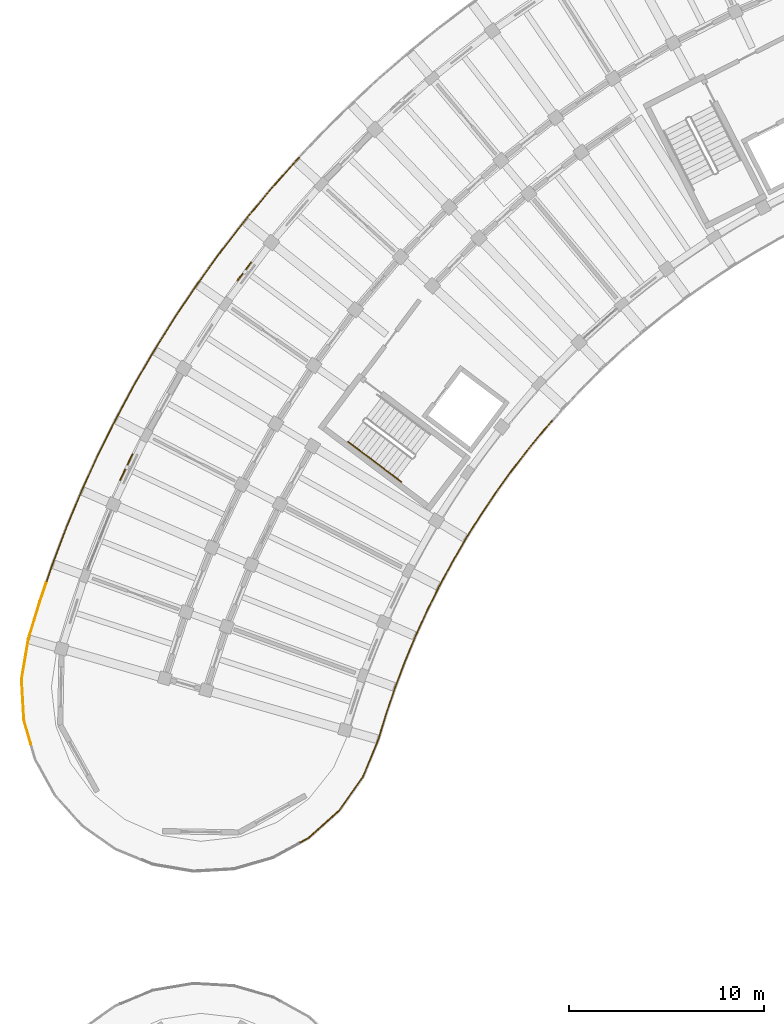
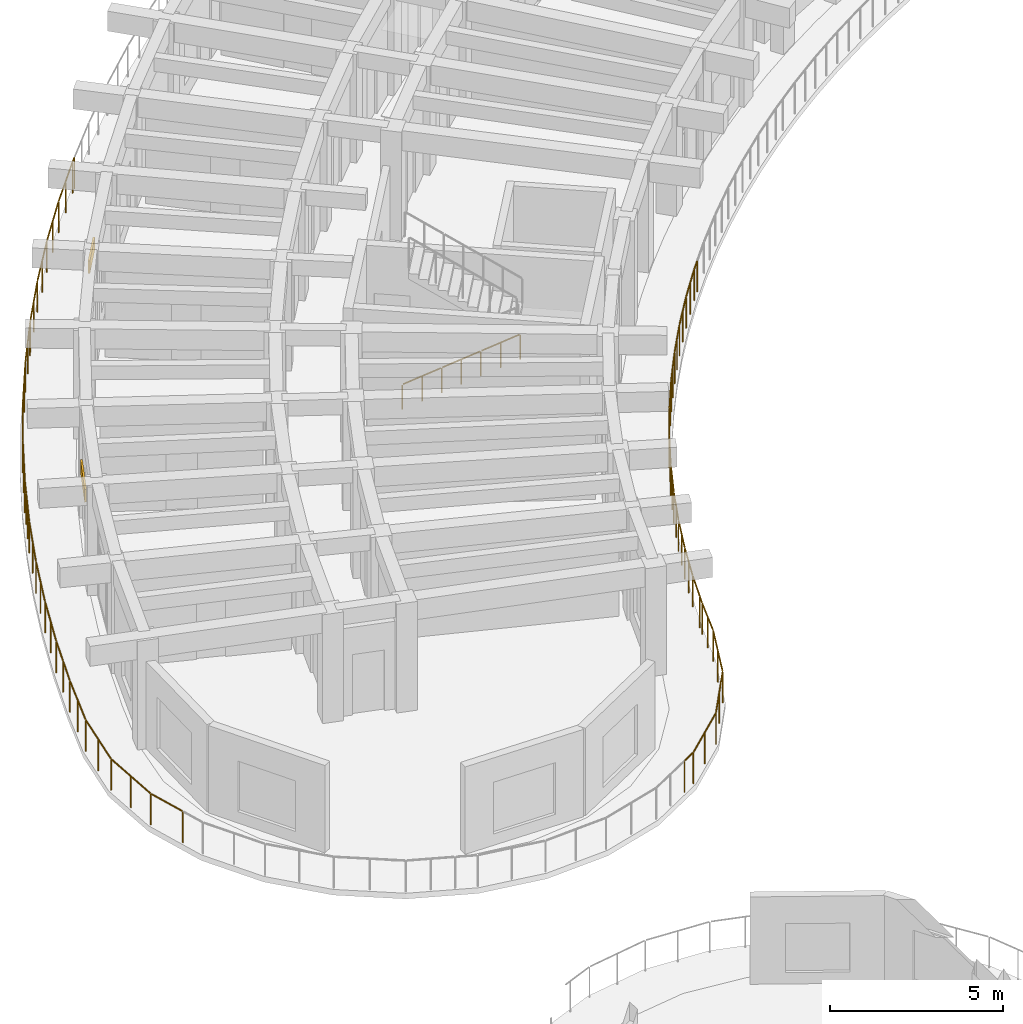
# One storey, part 113 of 128: 10 railings, 2 shading devices.
"""IFC4 building model written with IfcOpenShell, lengths in metres."""

from ifc_helpers import new_model, si_unit, direction, frame, origin, origin_2d, place, context, subcontext, project, spatial, rectangle, circle, extrude, material, layer, layer_set, type_object, element, save


model = new_model("IFC4")

# Units and contexts
model_context = context("Model", 3, precision=1e-05, world=origin(), true_north=direction((0.0, 1.0)))
body_context = subcontext(model_context, "Body", "Model", "MODEL_VIEW")
ifc_project = project(units=[si_unit("LENGTHUNIT", "METRE"), si_unit("AREAUNIT", "SQUARE_METRE"), si_unit("VOLUMEUNIT", "CUBIC_METRE"), si_unit("PLANEANGLEUNIT", "RADIAN"), si_unit("MASSUNIT", "GRAM", prefix="KILO")], contexts=[model_context])

# Site, building, storey
site_placement = place(None, origin())
site = spatial("IfcSite", under=ifc_project, at=site_placement, CompositionType="ELEMENT")
building_placement = place(site_placement, origin())
building = spatial("IfcBuilding", under=site, at=building_placement, Name="Tanwirah Colonnade Gardens", CompositionType="ELEMENT")
storey_placement = place(building_placement, frame((0.0, 0.0, 4.760009765625)))
storey = spatial("IfcBuildingStorey", under=building, at=storey_placement, Name="L01", CompositionType="ELEMENT", Elevation=4.760009765625)

# Railings
ifc_material_1 = material(Name="Precast concrete C40/50", Category="concrete")
railing_type_1 = type_object("IfcRailingType", Name="BAL-EXT112", PredefinedType="BALUSTRADE", material=ifc_material_1)
railing_1_placement = place(storey_placement, frame((32.869384765625, 88.28515625, 0.0)))
element("IfcRailing", 1, at=railing_1_placement, inside=storey, type_object=railing_type_1, Name="Block A L01 Balcony Ribbon Balustrade 5", PredefinedType="BALUSTRADE", context=body_context, shape_type="SweptSolid", body=[
    extrude(circle(Radius=0.02392578125, at=origin_2d()), frame((-0.020751953125, -0.0234375, 1.09619140625), z_axis=(-0.662562077046, -0.749007005348, 0.0), x_axis=(0.749007005348, -0.662562077046, 0.0)), (0.0, 0.0, 1.0), 0.3837890625),
    extrude(circle(Radius=0.02392578125, at=origin_2d()), frame((-0.3173828125, -0.3603515625, 1.09619140625), z_axis=(-0.637581943595, -0.770382544715, 0.0), x_axis=(0.770382544715, -0.637581943595, 0.0)), (0.0, 0.0, 1.0), 1.342041015625),
    extrude(circle(Radius=0.02392578125, at=origin_2d()), frame((-1.213623046875, -1.44482421875, 1.09619140625), z_axis=(-0.611783903817, -0.791024939576, 0.0), x_axis=(0.791024939576, -0.611783903817, 0.0)), (0.0, 0.0, 1.0), 1.341796875),
    extrude(circle(Radius=0.02392578125, at=origin_2d()), frame((-2.073486328125, -2.55859375, 1.09619140625), z_axis=(-0.585522290474, -0.810656306556, 0.0), x_axis=(0.810656306556, -0.585522290474, 0.0)), (0.0, 0.0, 1.0), 1.341796875),
    extrude(circle(Radius=0.02392578125, at=origin_2d()), frame((-2.896484375, -3.69970703125, 1.09619140625), z_axis=(-0.558385571779, -0.829581553091, 0.0), x_axis=(0.829581553091, -0.558385571779, 0.0)), (0.0, 0.0, 1.0), 1.341796875),
    extrude(circle(Radius=0.02392578125, at=origin_2d()), frame((-3.68115234375, -4.86767578125, 1.09619140625), z_axis=(-0.530764445851, -0.847519382091, 0.0), x_axis=(0.847519382091, -0.530764445851, 0.0)), (0.0, 0.0, 1.0), 1.341796875),
    extrude(circle(Radius=0.02392578125, at=origin_2d()), frame((-4.427001953125, -6.060546875, 1.09619140625), z_axis=(-0.502361540351, -0.864657667968, 0.0), x_axis=(0.864657667968, -0.502361540351, 0.0)), (0.0, 0.0, 1.0), 0.95361328125),
    extrude(circle(Radius=0.02099609375, at=origin_2d()), origin(), (0.0, 0.0, 1.0), 1.069091796875),
    extrude(circle(Radius=0.02099609375, at=origin_2d()), frame((-0.295654296875, -0.334228515625, 0.0)), (0.0, 0.0, 1.0), 1.069091796875),
    extrude(circle(Radius=0.02099609375, at=origin_2d()), frame((-0.7451171875, -0.877197265625, 0.0)), (0.0, 0.0, 1.0), 1.069091796875),
    extrude(circle(Radius=0.02099609375, at=origin_2d()), frame((-1.19287109375, -1.418212890625, 0.0)), (0.0, 0.0, 1.0), 1.069091796875),
    extrude(circle(Radius=0.02099609375, at=origin_2d()), frame((-1.6240234375, -1.9755859375, 0.0)), (0.0, 0.0, 1.0), 1.069091796875),
    extrude(circle(Radius=0.02099609375, at=origin_2d()), frame((-2.0537109375, -2.531005859375, 0.0)), (0.0, 0.0, 1.0), 1.069091796875),
    extrude(circle(Radius=0.02099609375, at=origin_2d()), frame((-2.46630859375, -3.1025390625, 0.0)), (0.0, 0.0, 1.0), 1.069091796875),
    extrude(circle(Radius=0.02099609375, at=origin_2d()), frame((-2.87744140625, -3.671630859375, 0.0)), (0.0, 0.0, 1.0), 1.069091796875),
    extrude(circle(Radius=0.02099609375, at=origin_2d()), frame((-3.27099609375, -4.25634765625, 0.0)), (0.0, 0.0, 1.0), 1.069091796875),
    extrude(circle(Radius=0.02099609375, at=origin_2d()), frame((-3.6630859375, -4.8388671875, 0.0)), (0.0, 0.0, 1.0), 1.069091796875),
    extrude(circle(Radius=0.02099609375, at=origin_2d()), frame((-4.037109375, -5.43603515625, 0.0)), (0.0, 0.0, 1.0), 1.069091796875),
    extrude(circle(Radius=0.02099609375, at=origin_2d()), frame((-4.409912109375, -6.03125, 0.0)), (0.0, 0.0, 1.0), 1.069091796875),
    extrude(circle(Radius=0.02099609375, at=origin_2d()), frame((-4.921875, -6.912109375, 0.0)), (0.0, 0.0, 1.0), 1.069091796875),
])
railing_2_placement = place(storey_placement, frame((27.947509765625, 81.373046875, 0.0)))
element("IfcRailing", 2, at=railing_2_placement, inside=storey, type_object=railing_type_1, Name="Block A L01 Balcony Ribbon Balustrade 6", PredefinedType="BALUSTRADE", context=body_context, shape_type="SweptSolid", body=[
    extrude(circle(Radius=0.02392578125, at=origin_2d()), frame((-0.015625, -0.027099609375, 1.09619140625), z_axis=(-0.502423717067, -0.864621540634, 0.0), x_axis=(0.864621540634, -0.502423717067, 0.0)), (0.0, 0.0, 1.0), 0.32568359375),
    extrude(circle(Radius=0.02392578125, at=origin_2d()), frame((-0.211181640625, -0.365478515625, 1.09619140625), z_axis=(-0.473716211853, -0.880677552018, 0.0), x_axis=(0.880677552018, -0.473716211853, 0.0)), (0.0, 0.0, 1.0), 1.341796875),
    extrude(circle(Radius=0.02392578125, at=origin_2d()), frame((-0.876708984375, -1.60498046875, 1.09619140625), z_axis=(-0.444499692011, -0.895779003885, 0.0), x_axis=(0.895779003885, -0.444499692011, 0.0)), (0.0, 0.0, 1.0), 1.341796875),
    extrude(circle(Radius=0.02392578125, at=origin_2d()), frame((-1.501220703125, -2.865966796875, 1.09619140625), z_axis=(-0.414654197084, -0.909979063957, 0.0), x_axis=(0.909979063957, -0.414654197084, 0.0)), (0.0, 0.0, 1.0), 1.341796875),
    extrude(circle(Radius=0.02392578125, at=origin_2d()), frame((-2.08349609375, -4.146484375, 1.09619140625), z_axis=(-0.384541319971, -0.923107779858, 0.0), x_axis=(0.923107779858, -0.384541319971, 0.0)), (0.0, 0.0, 1.0), 1.341796875),
    extrude(circle(Radius=0.02392578125, at=origin_2d()), frame((-2.62353515625, -5.44580078125, 1.09619140625), z_axis=(-0.353789339155, -0.935325132508, 0.0), x_axis=(0.935325132508, -0.353789339155, 0.0)), (0.0, 0.0, 1.0), 1.341796875),
    extrude(circle(Radius=0.02392578125, at=origin_2d()), frame((-3.120361328125, -6.761962890625, 1.09619140625), z_axis=(-0.322900627553, -0.946432873862, 0.0), x_axis=(0.946432873862, -0.322900627553, 0.0)), (0.0, 0.0, 1.0), 1.011962890625),
    extrude(circle(Radius=0.02099609375, at=origin_2d()), origin(), (0.0, 0.0, 1.0), 1.069091796875),
    extrude(circle(Radius=0.02099609375, at=origin_2d()), frame((-0.195068359375, -0.335693359375, 0.0)), (0.0, 0.0, 1.0), 1.069091796875),
    extrude(circle(Radius=0.02099609375, at=origin_2d()), frame((-0.52880859375, -0.956298828125, 0.0)), (0.0, 0.0, 1.0), 1.069091796875),
    extrude(circle(Radius=0.02099609375, at=origin_2d()), frame((-0.861572265625, -1.57470703125, 0.0)), (0.0, 0.0, 1.0), 1.069091796875),
    extrude(circle(Radius=0.02099609375, at=origin_2d()), frame((-1.1748046875, -2.2060546875, 0.0)), (0.0, 0.0, 1.0), 1.069091796875),
    extrude(circle(Radius=0.02099609375, at=origin_2d()), frame((-1.487060546875, -2.8349609375, 0.0)), (0.0, 0.0, 1.0), 1.069091796875),
    extrude(circle(Radius=0.02099609375, at=origin_2d()), frame((-1.779296875, -3.476318359375, 0.0)), (0.0, 0.0, 1.0), 1.069091796875),
    extrude(circle(Radius=0.02099609375, at=origin_2d()), frame((-2.070556640625, -4.115234375, 0.0)), (0.0, 0.0, 1.0), 1.069091796875),
    extrude(circle(Radius=0.02099609375, at=origin_2d()), frame((-2.341552734375, -4.765869140625, 0.0)), (0.0, 0.0, 1.0), 1.069091796875),
    extrude(circle(Radius=0.02099609375, at=origin_2d()), frame((-2.611572265625, -5.4140625, 0.0)), (0.0, 0.0, 1.0), 1.069091796875),
    extrude(circle(Radius=0.02099609375, at=origin_2d()), frame((-2.86083984375, -6.0732421875, 0.0)), (0.0, 0.0, 1.0), 1.069091796875),
    extrude(circle(Radius=0.02099609375, at=origin_2d()), frame((-3.109375, -6.72998046875, 0.0)), (0.0, 0.0, 1.0), 1.069091796875),
    extrude(circle(Radius=0.02099609375, at=origin_2d()), frame((-3.457275390625, -7.749267578125, 0.0)), (0.0, 0.0, 1.0), 1.069091796875),
])
railing_3_placement = place(storey_placement, frame((24.490234375, 73.623779296875, 0.0)))
element("IfcRailing", 3, at=railing_3_placement, inside=storey, type_object=railing_type_1, Name="Block A L01 Balcony Ribbon Balustrade 7", PredefinedType="BALUSTRADE", context=body_context, shape_type="SweptSolid", body=[
    extrude(circle(Radius=0.02392578125, at=origin_2d()), frame((-0.010009765625, -0.029541015625, 1.09619140625), z_axis=(-0.322432998428, -0.946592288963, 0.0), x_axis=(0.946592288963, -0.322432998428, 0.0)), (0.0, 0.0, 1.0), 0.267578125),
    extrude(circle(Radius=0.02392578125, at=origin_2d()), frame((-0.1162109375, -0.3447265625, 1.09619140625), z_axis=(-0.29148764702, -0.956574592823, 0.0), x_axis=(0.956574592823, -0.29148764702, 0.0)), (0.0, 0.0, 1.0), 1.337890625),
    extrude(circle(Radius=0.02392578125, at=origin_2d()), frame((-0.52734375, -1.683349609375, 1.09619140625), z_axis=(-0.381489237895, -0.92437328032, 0.0), x_axis=(0.92437328032, -0.381489237895, 0.0)), (0.0, 0.0, 1.0), 2.029541015625),
    extrude(circle(Radius=0.02392578125, at=origin_2d()), frame((-1.33154296875, -3.614013671875, 1.09619140625), z_axis=(-0.577647272924, -0.816286486525, 0.0), x_axis=(0.816286486525, -0.577647272924, 0.0)), (0.0, 0.0, 1.0), 2.0244140625),
    extrude(circle(Radius=0.02392578125, at=origin_2d()), frame((-2.542236328125, -5.312744140625, 1.09619140625), z_axis=(-0.744822012119, -0.667263194146, 0.0), x_axis=(0.667263194146, -0.744822012119, 0.0)), (0.0, 0.0, 1.0), 2.0244140625),
    extrude(circle(Radius=0.02392578125, at=origin_2d()), frame((-4.100830078125, -6.69970703125, 1.09619140625), z_axis=(-0.874616555828, -0.48481530532, 0.0), x_axis=(0.48481530532, -0.874616555828, 0.0)), (0.0, 0.0, 1.0), 0.4384765625),
    extrude(circle(Radius=0.02099609375, at=origin_2d()), origin(), (0.0, 0.0, 1.0), 1.069091796875),
    extrude(circle(Radius=0.02099609375, at=origin_2d()), frame((-0.1064453125, -0.3125, 0.0)), (0.0, 0.0, 1.0), 1.069091796875),
    extrude(circle(Radius=0.02099609375, at=origin_2d()), frame((-0.311279296875, -0.98486328125, 0.0)), (0.0, 0.0, 1.0), 1.069091796875),
    extrude(circle(Radius=0.02099609375, at=origin_2d()), frame((-0.515380859375, -1.654541015625, 0.0)), (0.0, 0.0, 1.0), 1.069091796875),
    extrude(circle(Radius=0.02099609375, at=origin_2d()), frame((-0.91455078125, -2.62158203125, 0.0)), (0.0, 0.0, 1.0), 1.069091796875),
    extrude(circle(Radius=0.02099609375, at=origin_2d()), frame((-1.3134765625, -3.58837890625, 0.0)), (0.0, 0.0, 1.0), 1.069091796875),
    extrude(circle(Radius=0.02099609375, at=origin_2d()), frame((-1.916259765625, -4.440185546875, 0.0)), (0.0, 0.0, 1.0), 1.069091796875),
    extrude(circle(Radius=0.02099609375, at=origin_2d()), frame((-2.51904296875, -5.2919921875, 0.0)), (0.0, 0.0, 1.0), 1.069091796875),
    extrude(circle(Radius=0.02099609375, at=origin_2d()), frame((-3.29638671875, -5.98828125, 0.0)), (0.0, 0.0, 1.0), 1.069091796875),
    extrude(circle(Radius=0.02099609375, at=origin_2d()), frame((-4.073486328125, -6.6845703125, 0.0)), (0.0, 0.0, 1.0), 1.069091796875),
    extrude(circle(Radius=0.02099609375, at=origin_2d()), frame((-4.51171875, -6.927490234375, 0.0)), (0.0, 0.0, 1.0), 1.069091796875),
])
railing_4_placement = place(storey_placement, frame((6.184814453125, 71.72998046875, 0.0)))
element("IfcRailing", 4, at=railing_4_placement, inside=storey, type_object=railing_type_1, Name="Block A L01 Balcony Ribbon Balustrade 10", PredefinedType="BALUSTRADE", context=body_context, shape_type="SweptSolid", body=[
    extrude(circle(Radius=0.02392578125, at=origin_2d()), frame((-0.0087890625, 0.030029296875, 1.09619140625), z_axis=(-0.278016434724, 0.960576317646, 0.0), x_axis=(-0.960576317646, -0.278016434724, 0.0)), (0.0, 0.0, 1.0), 1.21875),
    extrude(circle(Radius=0.02392578125, at=origin_2d()), frame((-0.35791015625, 1.261962890625, 1.09619140625), z_axis=(-0.057322977065, 0.998355686266, 0.0), x_axis=(-0.998355686266, -0.057322977065, 0.0)), (0.0, 0.0, 1.0), 2.0244140625),
    extrude(circle(Radius=0.02392578125, at=origin_2d()), frame((-0.470703125, 3.344970703125, 1.09619140625), z_axis=(0.166292387508, 0.986076488847, 0.0), x_axis=(-0.986076488847, 0.166292387508, 0.0)), (0.0, 0.0, 1.0), 2.028076171875),
    extrude(circle(Radius=0.02392578125, at=origin_2d()), frame((-0.119140625, 5.405517578125, 1.09619140625), z_axis=(0.291363831298, 0.956612313224, 0.0), x_axis=(-0.956612313224, 0.291363831298, 0.0)), (0.0, 0.0, 1.0), 1.955078125),
    extrude(circle(Radius=0.02392578125, at=origin_2d()), frame((0.4697265625, 7.33544921875, 1.09619140625), z_axis=(0.322945869443, 0.946417437186, 0.0), x_axis=(-0.946417437186, 0.322945869443, 0.0)), (0.0, 0.0, 1.0), 0.961181640625),
    extrude(circle(Radius=0.02099609375, at=origin_2d()), origin(), (0.0, 0.0, 1.0), 1.069091796875),
    extrude(circle(Radius=0.02099609375, at=origin_2d()), frame((-0.356201171875, 1.230712890625, 0.0)), (0.0, 0.0, 1.0), 1.069091796875),
    extrude(circle(Radius=0.02099609375, at=origin_2d()), frame((-0.416015625, 2.2724609375, 0.0)), (0.0, 0.0, 1.0), 1.069091796875),
    extrude(circle(Radius=0.02099609375, at=origin_2d()), frame((-0.475830078125, 3.314208984375, 0.0)), (0.0, 0.0, 1.0), 1.069091796875),
    extrude(circle(Radius=0.02099609375, at=origin_2d()), frame((-0.302001953125, 4.344970703125, 0.0)), (0.0, 0.0, 1.0), 1.069091796875),
    extrude(circle(Radius=0.02099609375, at=origin_2d()), frame((-0.128173828125, 5.375732421875, 0.0)), (0.0, 0.0, 1.0), 1.069091796875),
    extrude(circle(Radius=0.02099609375, at=origin_2d()), frame((0.165771484375, 6.3408203125, 0.0)), (0.0, 0.0, 1.0), 1.069091796875),
    extrude(circle(Radius=0.02099609375, at=origin_2d()), frame((0.459716796875, 7.305908203125, 0.0)), (0.0, 0.0, 1.0), 1.069091796875),
    extrude(circle(Radius=0.02099609375, at=origin_2d()), frame((0.790283203125, 8.274658203125, 0.0)), (0.0, 0.0, 1.0), 1.069091796875),
])
railing_5_placement = place(storey_placement, frame((6.97509765625, 80.004638671875, 0.0)))
element("IfcRailing", 5, at=railing_5_placement, inside=storey, type_object=railing_type_1, Name="Block A L01 Balcony Ribbon Balustrade 11", PredefinedType="BALUSTRADE", context=body_context, shape_type="SweptSolid", body=[
    extrude(circle(Radius=0.02392578125, at=origin_2d()), frame((0.010009765625, 0.029541015625, 1.09619140625), z_axis=(0.322753642414, 0.946483008991, 0.0), x_axis=(-0.946483008991, 0.322753642414, 0.0)), (0.0, 0.0, 1.0), 0.935302734375),
    extrude(circle(Radius=0.02392578125, at=origin_2d()), frame((0.3330078125, 0.9736328125, 1.09619140625), z_axis=(0.353874964852, 0.935292739869, 0.0), x_axis=(-0.935292739869, 0.353874964852, 0.0)), (0.0, 0.0, 1.0), 1.958984375),
    extrude(circle(Radius=0.02392578125, at=origin_2d()), frame((1.04931640625, 2.86376953125, 1.09619140625), z_axis=(0.384409566544, 0.92316265368, 0.0), x_axis=(-0.92316265368, 0.384409566544, 0.0)), (0.0, 0.0, 1.0), 1.958984375),
    extrude(circle(Radius=0.02392578125, at=origin_2d()), frame((1.827392578125, 4.729736328125, 1.09619140625), z_axis=(0.414749084938, 0.909935820013, 0.0), x_axis=(-0.909935820013, 0.414749084938, 0.0)), (0.0, 0.0, 1.0), 1.958984375),
    extrude(circle(Radius=0.02392578125, at=origin_2d()), frame((2.666748046875, 6.568603515625, 1.09619140625), z_axis=(0.444426333087, 0.895815401999, 0.0), x_axis=(-0.895815401999, 0.444426333087, 0.0)), (0.0, 0.0, 1.0), 1.375),
    extrude(circle(Radius=0.02099609375, at=origin_2d()), origin(), (0.0, 0.0, 1.0), 1.069091796875),
    extrude(circle(Radius=0.02099609375, at=origin_2d()), frame((0.322021484375, 0.9443359375, 0.0)), (0.0, 0.0, 1.0), 1.069091796875),
    extrude(circle(Radius=0.02099609375, at=origin_2d()), frame((0.6796875, 1.8896484375, 0.0)), (0.0, 0.0, 1.0), 1.069091796875),
    extrude(circle(Radius=0.02099609375, at=origin_2d()), frame((1.037353515625, 2.8349609375, 0.0)), (0.0, 0.0, 1.0), 1.069091796875),
    extrude(circle(Radius=0.02099609375, at=origin_2d()), frame((1.42578125, 3.76806640625, 0.0)), (0.0, 0.0, 1.0), 1.069091796875),
    extrude(circle(Radius=0.02099609375, at=origin_2d()), frame((1.814453125, 4.701171875, 0.0)), (0.0, 0.0, 1.0), 1.069091796875),
    extrude(circle(Radius=0.02099609375, at=origin_2d()), frame((2.233642578125, 5.620849609375, 0.0)), (0.0, 0.0, 1.0), 1.069091796875),
    extrude(circle(Radius=0.02099609375, at=origin_2d()), frame((2.65283203125, 6.54052734375, 0.0)), (0.0, 0.0, 1.0), 1.069091796875),
    extrude(circle(Radius=0.02099609375, at=origin_2d()), frame((2.97216796875, 7.1845703125, 0.0)), (0.0, 0.0, 1.0), 1.069091796875),
    extrude(circle(Radius=0.02099609375, at=origin_2d()), frame((3.291748046875, 7.828369140625, 0.0)), (0.0, 0.0, 1.0), 1.069091796875),
])
railing_6_placement = place(storey_placement, frame((10.266845703125, 87.8330078125, 0.0)))
element("IfcRailing", 6, at=railing_6_placement, inside=storey, type_object=railing_type_1, Name="Block A L01 Balcony Ribbon Balustrade 12", PredefinedType="BALUSTRADE", context=body_context, shape_type="SweptSolid", body=[
    extrude(circle(Radius=0.02392578125, at=origin_2d()), frame((0.013916015625, 0.028076171875, 1.09619140625), z_axis=(0.444368714855, 0.895843984887, 0.0), x_axis=(-0.895843984887, 0.444368714855, 0.0)), (0.0, 0.0, 1.0), 0.521484375),
    extrude(circle(Radius=0.02392578125, at=origin_2d()), frame((0.2744140625, 0.55078125, 1.09619140625), z_axis=(0.473826102441, 0.88061843306, 0.0), x_axis=(-0.88061843306, 0.473826102441, 0.0)), (0.0, 0.0, 1.0), 1.958740234375),
    extrude(circle(Radius=0.02392578125, at=origin_2d()), frame((1.23291015625, 2.330322265625, 1.09619140625), z_axis=(0.502421024862, 0.864623105045, 0.0), x_axis=(-0.864623105045, 0.502421024862, 0.0)), (0.0, 0.0, 1.0), 1.958984375),
    extrude(circle(Radius=0.02392578125, at=origin_2d()), frame((2.24951171875, 4.07763671875, 1.09619140625), z_axis=(0.530812919598, 0.847489023167, 0.0), x_axis=(-0.847489023167, 0.530812919598, 0.0)), (0.0, 0.0, 1.0), 1.958984375),
    extrude(circle(Radius=0.02392578125, at=origin_2d()), frame((3.3232421875, 5.7900390625, 1.09619140625), z_axis=(0.558315298827, 0.829628849001, 0.0), x_axis=(-0.829628849001, 0.558315298827, 0.0)), (0.0, 0.0, 1.0), 1.789306640625),
    extrude(circle(Radius=0.02099609375, at=origin_2d()), origin(), (0.0, 0.0, 1.0), 1.069091796875),
    extrude(circle(Radius=0.02099609375, at=origin_2d()), frame((0.259521484375, 0.523193359375, 0.0)), (0.0, 0.0, 1.0), 1.069091796875),
    extrude(circle(Radius=0.02099609375, at=origin_2d()), frame((0.73828125, 1.4130859375, 0.0)), (0.0, 0.0, 1.0), 1.069091796875),
    extrude(circle(Radius=0.02099609375, at=origin_2d()), frame((1.21728515625, 2.30322265625, 0.0)), (0.0, 0.0, 1.0), 1.069091796875),
    extrude(circle(Radius=0.02099609375, at=origin_2d()), frame((1.72509765625, 3.17724609375, 0.0)), (0.0, 0.0, 1.0), 1.069091796875),
    extrude(circle(Radius=0.02099609375, at=origin_2d()), frame((2.23291015625, 4.051025390625, 0.0)), (0.0, 0.0, 1.0), 1.069091796875),
    extrude(circle(Radius=0.02099609375, at=origin_2d()), frame((2.76953125, 4.90771484375, 0.0)), (0.0, 0.0, 1.0), 1.069091796875),
    extrude(circle(Radius=0.02099609375, at=origin_2d()), frame((3.305908203125, 5.76416015625, 0.0)), (0.0, 0.0, 1.0), 1.069091796875),
    extrude(circle(Radius=0.02099609375, at=origin_2d()), frame((3.82275390625, 6.5322265625, 0.0)), (0.0, 0.0, 1.0), 1.069091796875),
    extrude(circle(Radius=0.02099609375, at=origin_2d()), frame((4.33984375, 7.300537109375, 0.0)), (0.0, 0.0, 1.0), 1.069091796875),
])
railing_7_placement = place(storey_placement, frame((14.606689453125, 95.133544921875, 0.0)))
element("IfcRailing", 7, at=railing_7_placement, inside=storey, type_object=railing_type_1, Name="Block A L01 Balcony Ribbon Balustrade 13", PredefinedType="BALUSTRADE", context=body_context, shape_type="SweptSolid", body=[
    extrude(circle(Radius=0.02392578125, at=origin_2d()), frame((0.017578125, 0.02587890625, 1.09619140625), z_axis=(0.558681242275, 0.829382462758, 0.0), x_axis=(-0.829382462758, 0.558681242275, 0.0)), (0.0, 0.0, 1.0), 0.10693359375),
    extrude(circle(Radius=0.02392578125, at=origin_2d()), frame((0.113037109375, 0.166015625, 1.09619140625), z_axis=(0.585468507287, 0.810695150457, 0.0), x_axis=(-0.810695150457, 0.585468507287, 0.0)), (0.0, 0.0, 1.0), 1.958984375),
    extrude(circle(Radius=0.02392578125, at=origin_2d()), frame((1.29736328125, 1.80419921875, 1.09619140625), z_axis=(0.611856467608, 0.790968812942, 0.0), x_axis=(-0.790968812942, 0.611856467608, 0.0)), (0.0, 0.0, 1.0), 1.958984375),
    extrude(circle(Radius=0.02392578125, at=origin_2d()), frame((2.53515625, 3.402587890625, 1.09619140625), z_axis=(0.637555355491, 0.770404548717, 0.0), x_axis=(-0.770404548717, 0.637555355491, 0.0)), (0.0, 0.0, 1.0), 1.958984375),
    extrude(circle(Radius=0.02392578125, at=origin_2d()), frame((3.82470703125, 4.959228515625, 1.09619140625), z_axis=(0.662607760508, 0.748966591854, 0.0), x_axis=(-0.748966591854, 0.662607760508, 0.0)), (0.0, 0.0, 1.0), 1.958740234375),
    extrude(circle(Radius=0.02392578125, at=origin_2d()), frame((5.164794921875, 6.472412109375, 1.09619140625), z_axis=(0.686858017599, 0.726791623273, 0.0), x_axis=(-0.726791623273, 0.686858017599, 0.0)), (0.0, 0.0, 1.0), 0.18212890625),
    extrude(circle(Radius=0.02099609375, at=origin_2d()), origin(), (0.0, 0.0, 1.0), 1.069091796875),
    extrude(circle(Radius=0.02099609375, at=origin_2d()), frame((0.0947265625, 0.140625, 0.0)), (0.0, 0.0, 1.0), 1.069091796875),
    extrude(circle(Radius=0.02099609375, at=origin_2d()), frame((0.6865234375, 0.9599609375, 0.0)), (0.0, 0.0, 1.0), 1.069091796875),
    extrude(circle(Radius=0.02099609375, at=origin_2d()), frame((1.2783203125, 1.779541015625, 0.0)), (0.0, 0.0, 1.0), 1.069091796875),
    extrude(circle(Radius=0.02099609375, at=origin_2d()), frame((1.896728515625, 2.5791015625, 0.0)), (0.0, 0.0, 1.0), 1.069091796875),
    extrude(circle(Radius=0.02099609375, at=origin_2d()), frame((2.51513671875, 3.37841796875, 0.0)), (0.0, 0.0, 1.0), 1.069091796875),
    extrude(circle(Radius=0.02099609375, at=origin_2d()), frame((3.15966796875, 4.1572265625, 0.0)), (0.0, 0.0, 1.0), 1.069091796875),
    extrude(circle(Radius=0.02099609375, at=origin_2d()), frame((3.803955078125, 4.935791015625, 0.0)), (0.0, 0.0, 1.0), 1.069091796875),
    extrude(circle(Radius=0.02099609375, at=origin_2d()), frame((4.4736328125, 5.69287109375, 0.0)), (0.0, 0.0, 1.0), 1.069091796875),
    extrude(circle(Radius=0.02099609375, at=origin_2d()), frame((5.143310546875, 6.44970703125, 0.0)), (0.0, 0.0, 1.0), 1.069091796875),
    extrude(circle(Radius=0.02099609375, at=origin_2d()), frame((5.311279296875, 6.62744140625, 0.0)), (0.0, 0.0, 1.0), 1.069091796875),
])
ifc_material_2 = material(Name="Brushed bronze stainless steel", Category="steel")
railing_type_2 = type_object("IfcRailingType", Name="HR-ST090", PredefinedType="HANDRAIL", material=ifc_material_2)
railing_8_placement = place(storey_placement, frame((22.43115234375, 87.206787109375, 0.169921875)))
element("IfcRailing", 8, at=railing_8_placement, inside=storey, type_object=railing_type_2, Name="L01 ST-A2 stair handrail 1", PredefinedType="HANDRAIL", context=body_context, shape_type="SweptSolid", body=[
    extrude(circle(Radius=0.02392578125, at=origin_2d()), frame((0.021484375, -0.01611328125, 0.89208984375), z_axis=(0.684276155775, -0.515638508375, 0.515638508375), x_axis=(0.601814606132, 0.798635824294, 0.0)), (0.0, 0.0, 1.0), 1.267822265625),
    extrude(circle(Radius=0.02099609375, at=origin_2d()), origin(), (0.0, 0.0, 1.0), 0.848876953125),
    extrude(circle(Radius=0.02099609375, at=origin_2d()), frame((0.455078125, -0.343017578125, 0.343017578125)), (0.0, 0.0, 1.0), 0.848876953125),
    extrude(circle(Radius=0.02099609375, at=origin_2d()), frame((0.910400390625, -0.68603515625, 0.68603515625)), (0.0, 0.0, 1.0), 0.848876953125),
])
railing_9_placement = place(storey_placement, frame((23.341552734375, 86.520751953125, 0.85595703125)))
element("IfcRailing", 9, at=railing_9_placement, inside=storey, type_object=railing_type_2, Name="L01 ST-A2 stair handrail 2", PredefinedType="HANDRAIL", context=body_context, shape_type="SweptSolid", body=[
    extrude(circle(Radius=0.02392578125, at=origin_2d()), frame((0.021484375, -0.01611328125, 0.89208984375), z_axis=(0.684308975425, -0.515708453062, 0.51552499221), x_axis=(0.601848260386, 0.79861046291, 0.0)), (0.0, 0.0, 1.0), 1.268310546875),
    extrude(circle(Radius=0.02099609375, at=origin_2d()), origin(), (0.0, 0.0, 1.0), 0.848876953125),
    extrude(circle(Radius=0.02099609375, at=origin_2d()), frame((0.455322265625, -0.34326171875, 0.343017578125)), (0.0, 0.0, 1.0), 0.848876953125),
    extrude(circle(Radius=0.02099609375, at=origin_2d()), frame((0.91064453125, -0.686279296875, 0.68603515625)), (0.0, 0.0, 1.0), 0.848876953125),
])
railing_10_placement = place(storey_placement, frame((24.252197265625, 85.83447265625, 1.5419921875)))
element("IfcRailing", 10, at=railing_10_placement, inside=storey, type_object=railing_type_2, Name="L01 ST-A2 stair handrail 3", PredefinedType="HANDRAIL", context=body_context, shape_type="SweptSolid", body=[
    extrude(circle(Radius=0.02392578125, at=origin_2d()), frame((0.021484375, -0.01611328125, 0.89208984375), z_axis=(0.684276155775, -0.515638508375, 0.515638508375), x_axis=(0.601814606132, 0.798635824294, 0.0)), (0.0, 0.0, 1.0), 1.267822265625),
    extrude(circle(Radius=0.02099609375, at=origin_2d()), origin(), (0.0, 0.0, 1.0), 0.848876953125),
    extrude(circle(Radius=0.02099609375, at=origin_2d()), frame((0.455078125, -0.343017578125, 0.343017578125)), (0.0, 0.0, 1.0), 0.848876953125),
    extrude(circle(Radius=0.02099609375, at=origin_2d()), frame((0.910400390625, -0.68603515625, 0.68603515625)), (0.0, 0.0, 1.0), 0.848876953125),
])

# Shading devices
ifc_material_3 = material(Name="Perforated architectural bronze aluminium", Category="aluminium")
ifc_layer = layer(ifc_material_3, 0.050048828125)
ifc_layer_set = layer_set([ifc_layer], Name="Perforated architectural bronze aluminium")
shading_device_type = type_object("IfcShadingDeviceType", Name="SHD-OVH1", PredefinedType="SHUTTER", material=ifc_layer_set)
shading_device_1_placement = place(storey_placement, frame((17.1142578125, 95.931640625, 1.93505859375), z_axis=(0.0, 0.0, 1.0), x_axis=(-0.598712552474, -0.800963968921, 0.0)))
element("IfcShadingDevice", 11, at=shading_device_1_placement, inside=storey, type_object=shading_device_type, Name="Solar shading louver hood A-L01-12", PredefinedType="SHUTTER", context=body_context, shape_type="SweptSolid", body=[
    extrude(rectangle(XDim=1.199951171875, YDim=0.06005859375, at=origin_2d()), origin(), (0.0, 0.0, 1.0), 0.449951171875),
])
shading_device_2_placement = place(storey_placement, frame((11.0693359375, 85.914794921875, 2.18505859375), z_axis=(0.0, 0.0, 1.0), x_axis=(-0.429636635886, -0.903001861075, 0.0)))
element("IfcShadingDevice", 12, at=shading_device_2_placement, inside=storey, type_object=shading_device_type, Name="Solar shading louver hood A-L01-15", PredefinedType="SHUTTER", context=body_context, shape_type="SweptSolid", body=[
    extrude(rectangle(XDim=1.5, YDim=0.06005859375, at=origin_2d()), origin(), (0.0, 0.0, 1.0), 0.449951171875),
])

save(model, "model.ifc")
